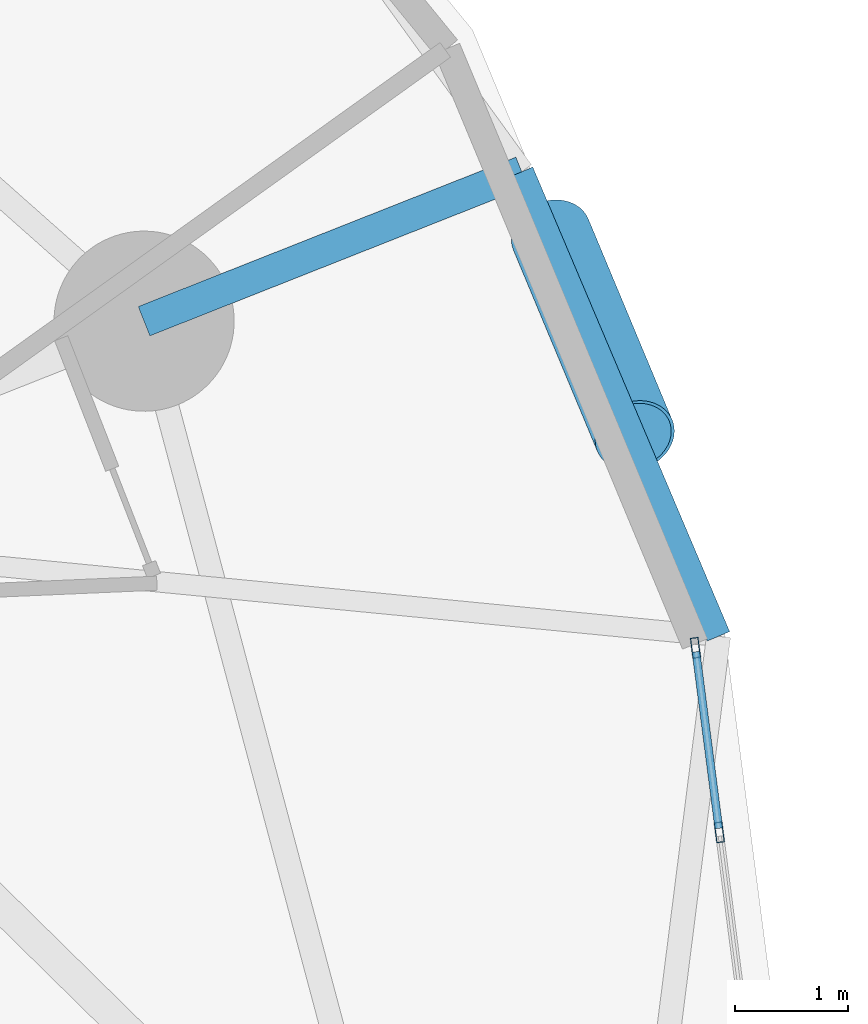
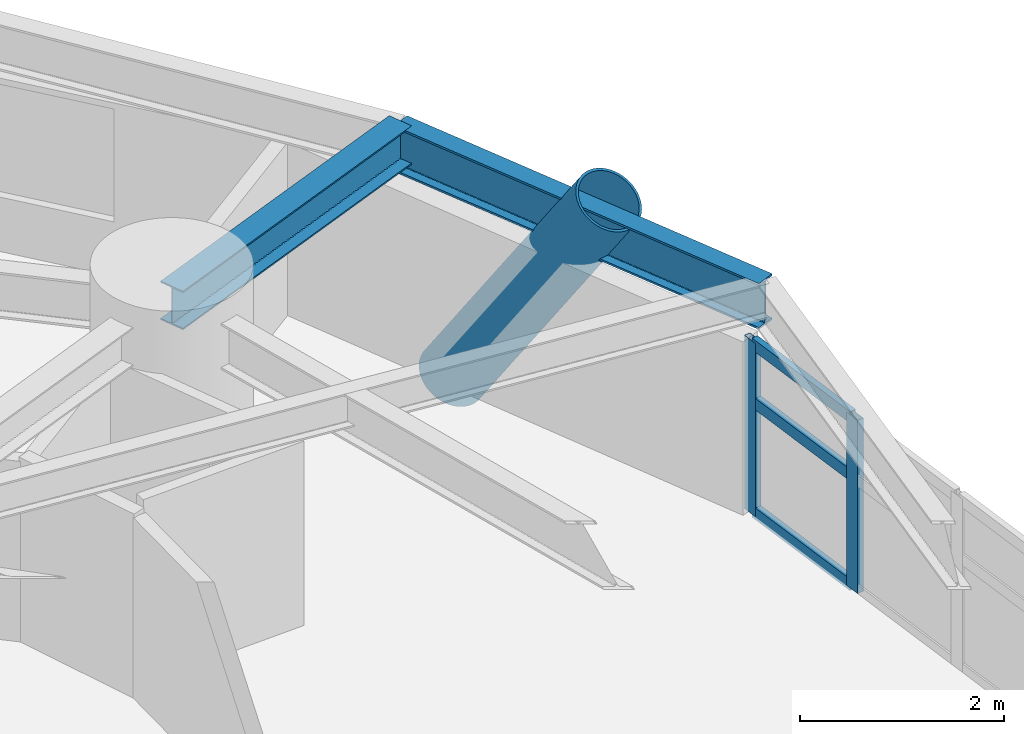
# One storey, part 4 of 19: 6 members, 2 beams, 1 element without a shape of its own.
"""IFC4 building model written with IfcOpenShell, lengths in metres."""

import ifcopenshell
import ifcopenshell.guid

model = None  # the IFC model being written
_history = None  # IfcOwnerHistory: only IFC2X3 demands one
_inside = {}  # id of a spatial element -> (the spatial element, [elements in it])
_under = {}  # id of a project, library or spatial element -> (it, [spatial elements below it])
_declared = {}  # id of a project -> (the project, [libraries it declares])
_typed = {}  # id of a type object -> (the type object, [elements of that type])
_made_of = {}  # id of a material, layer set ... -> (it, [elements and type objects made of it])


def new_model(schema):
    """Start an empty IFC model of exactly this schema.

    Asked for "IFC4X3", IfcOpenShell would pick the latest addendum, in which some entities
    have other attributes; the version numbers below select the first issue.
    IFC2X3 requires an IfcOwnerHistory on every rooted entity: one is made here for all.
    """
    global model, _history
    if schema == "IFC4X3":
        model = ifcopenshell.file(schema_version=(4, 3, 0, 0))
    else:
        model = ifcopenshell.file(schema=schema)
    _inside.clear()
    _under.clear()
    _declared.clear()
    _typed.clear()
    _made_of.clear()
    _history = None
    if model.schema == "IFC2X3":
        org = make("IfcOrganization", Name="unknown")
        user = make(
            "IfcPersonAndOrganization",
            ThePerson=make("IfcPerson", FamilyName="unknown"),
            TheOrganization=org,
        )
        app = make(
            "IfcApplication",
            ApplicationDeveloper=org,
            Version="unknown",
            ApplicationFullName="unknown",
            ApplicationIdentifier="unknown",
        )
        _history = make(
            "IfcOwnerHistory",
            OwningUser=user,
            OwningApplication=app,
            ChangeAction="ADDED",
            CreationDate=0,
        )
    return model


def make(cls, **values):
    """One entity of the class cls with the attributes given. An attribute that is None is left unset."""
    return model.create_entity(
        cls, **{name: value for name, value in values.items() if value is not None}
    )


def rooted(cls, **values):
    """An entity with a GlobalId (a new one), such as an element, a storey or a relation."""
    return make(cls, GlobalId=ifcopenshell.guid.new(), OwnerHistory=_history, **values)


def si_unit(unit_type, name, prefix=None):
    """IfcSIUnit, for example si_unit("LENGTHUNIT", "METRE", prefix="MILLI")."""
    return make("IfcSIUnit", UnitType=unit_type, Prefix=prefix, Name=name)


def assignment(units):
    """IfcUnitAssignment: the units of a project."""
    return None if units is None else make("IfcUnitAssignment", Units=units)


def point(xyz):
    """IfcCartesianPoint."""
    return None if xyz is None else make("IfcCartesianPoint", Coordinates=xyz)


def direction(xyz):
    """IfcDirection."""
    return None if xyz is None else make("IfcDirection", DirectionRatios=xyz)


def frame(location, z_axis=None, x_axis=None):
    """IfcAxis2Placement3D, a coordinate frame: its origin and axes. An axis left out is left unset."""
    return make(
        "IfcAxis2Placement3D",
        Location=point(location),
        Axis=direction(z_axis),
        RefDirection=direction(x_axis),
    )


def frame_2d(location, x_axis=None):
    """IfcAxis2Placement2D, a coordinate frame in the plane: its origin and x axis."""
    return make(
        "IfcAxis2Placement2D", Location=point(location), RefDirection=direction(x_axis)
    )


def origin():
    """The frame at (0, 0, 0) with its axes left unset."""
    return frame((0.0, 0.0, 0.0))


def origin_2d():
    """The frame at (0, 0) in the plane with its x axis left unset."""
    return frame_2d((0.0, 0.0))


def place(relative_to, where):
    """IfcLocalPlacement: puts the frame where relative to a parent placement (None: the world)."""
    return make(
        "IfcLocalPlacement", PlacementRelTo=relative_to, RelativePlacement=where
    )


def context(
    kind, dimensions, precision=None, world=None, true_north=None, identifier=None
):
    """IfcGeometricRepresentationContext, for example the 3D "Model" context."""
    return make(
        "IfcGeometricRepresentationContext",
        ContextIdentifier=identifier,
        ContextType=kind,
        CoordinateSpaceDimension=dimensions,
        Precision=precision,
        WorldCoordinateSystem=world,
        TrueNorth=true_north,
    )


def subcontext(parent, identifier, kind, view, scale=None):
    """IfcGeometricRepresentationSubContext, for example "Body" below "Model"."""
    return make(
        "IfcGeometricRepresentationSubContext",
        ContextIdentifier=identifier,
        ContextType=kind,
        ParentContext=parent,
        TargetScale=scale,
        TargetView=view,
    )


def project(units=None, contexts=None):
    """IfcProject with its units and contexts."""
    return rooted(
        "IfcProject",
        Name="project",
        RepresentationContexts=contexts,
        UnitsInContext=assignment(units),
    )


def spatial(cls, under=None, at=None, **own):
    """A site, building, storey or space (cls), placed at a placement, below another one or the project."""
    s = rooted(cls, ObjectPlacement=at, **own)
    if under is not None:
        _under.setdefault(under.id(), (under, []))[1].append(s)
    return s


def profile(cls, at=None, kind="AREA", **sizes):
    """A parametric profile (cls). Its sizes go by their IFC names, for example OverallWidth=200.0."""
    return make(cls, ProfileType=kind, Position=at, **sizes)


def hollow_rectangle(**sizes):
    """IfcRectangleHollowProfileDef."""
    return profile("IfcRectangleHollowProfileDef", **sizes)


def hollow_circle(**sizes):
    """IfcCircleHollowProfileDef."""
    return profile("IfcCircleHollowProfileDef", **sizes)


def i_section(**sizes):
    """IfcIShapeProfileDef."""
    return profile("IfcIShapeProfileDef", **sizes)


def extrude(swept, where, along, depth):
    """IfcExtrudedAreaSolid: the profile swept, set in the frame where, extruded along a direction by depth."""
    return make(
        "IfcExtrudedAreaSolid",
        SweptArea=swept,
        Position=where,
        ExtrudedDirection=direction(along),
        Depth=depth,
    )


def shape(context_of_items, identifier, shape_type, items):
    """IfcShapeRepresentation: the items that make up one representation, for example the "Body"."""
    return make(
        "IfcShapeRepresentation",
        ContextOfItems=context_of_items,
        RepresentationIdentifier=identifier,
        RepresentationType=shape_type,
        Items=items,
    )


def material(Name=None, Category=None):
    """IfcMaterial."""
    return make("IfcMaterial", Name=Name, Category=Category)


def layer(
    of_material, thickness, ventilated=None, Name=None, Category=None, Priority=None
):
    """IfcMaterialLayer: one layer of a wall or slab, of a material (None: an air gap)."""
    return make(
        "IfcMaterialLayer",
        Material=of_material,
        LayerThickness=thickness,
        IsVentilated=ventilated,
        Name=Name,
        Category=Category,
        Priority=Priority,
    )


def layer_set(layers, Name=None):
    """IfcMaterialLayerSet."""
    return make("IfcMaterialLayerSet", MaterialLayers=layers, LayerSetName=Name)


def material_profile(
    of_material, cross_section, Name=None, Category=None, Priority=None
):
    """IfcMaterialProfile: a cross section and its material."""
    return make(
        "IfcMaterialProfile",
        Name=Name,
        Material=of_material,
        Profile=cross_section,
        Priority=Priority,
        Category=Category,
    )


def profile_set(profiles, Name=None, composite=None):
    """IfcMaterialProfileSet."""
    return make(
        "IfcMaterialProfileSet",
        Name=Name,
        MaterialProfiles=profiles,
        CompositeProfile=composite,
    )


def made_of(thing, what):
    """Note that an element or type object is made of a material, layer set ...; save() writes the relation."""
    if what is not None:
        _made_of.setdefault(what.id(), (what, []))[1].append(thing)
    return thing


def type_object(cls, material=None, **own):
    """A type object (cls), such as IfcWallType, which elements share."""
    return made_of(rooted(cls, **own), material)


def element(
    cls,
    number,
    at=None,
    inside=None,
    cuts=None,
    type_object=None,
    material=None,
    context=None,
    identifier="Body",
    shape_type=None,
    held_by="IfcProductDefinitionShape",
    body=None,
    shapes=None,
    **own,
):
    """One element of the class cls, such as IfcWall. Its Tag is "e" and its number.

    at: its placement. inside: the storey or other place that contains it. cuts: it is an
    opening in that element (IfcRelVoidsElement). A single representation is given by context,
    identifier, shape_type and body (its items); several are given by shapes. held_by: the class
    of the entity that holds the representations. save() writes the other relations.
    """
    e = rooted(cls, Tag="e%d" % number, ObjectPlacement=at, **own)
    if body is not None:
        shapes = [shape(context, identifier, shape_type, body)]
    if shapes is not None:
        e.Representation = make(held_by, Representations=shapes)
    if inside is not None:
        _inside.setdefault(inside.id(), (inside, []))[1].append(e)
    if cuts is not None:
        rooted(
            "IfcRelVoidsElement", RelatingBuildingElement=cuts, RelatedOpeningElement=e
        )
    if type_object is not None:
        _typed.setdefault(type_object.id(), (type_object, []))[1].append(e)
    return made_of(e, material)


def aggregate(whole, parts):
    """IfcRelAggregates: a whole, such as a stair, and the parts it consists of."""
    return rooted("IfcRelAggregates", RelatingObject=whole, RelatedObjects=parts)


def save(model, path):
    """Write the relations noted so far, then the file.

    IfcRelAggregates (storeys below a building ...), IfcRelContainedInSpatialStructure (elements
    in a storey), IfcRelDefinesByType, IfcRelAssociatesMaterial and IfcRelDeclares: one each for
    every whole, place, type object, material and project.
    """
    for whole, parts in _under.values():
        aggregate(whole, parts)
    for where, things in _inside.values():
        rooted(
            "IfcRelContainedInSpatialStructure",
            RelatedElements=things,
            RelatingStructure=where,
        )
    for kind, things in _typed.values():
        rooted("IfcRelDefinesByType", RelatedObjects=things, RelatingType=kind)
    for what, things in _made_of.values():
        rooted("IfcRelAssociatesMaterial", RelatedObjects=things, RelatingMaterial=what)
    for by, libraries in _declared.values():
        rooted("IfcRelDeclares", RelatingContext=by, RelatedDefinitions=libraries)
    model.write(path)


model = new_model("IFC4")

# Units and contexts
model_context = context("Model", 3, precision=1e-05, world=origin(), true_north=direction((0.0, 1.0)))
body_context = subcontext(model_context, "Body", "Model", "MODEL_VIEW")
ifc_project = project(units=[si_unit("LENGTHUNIT", "METRE"), si_unit("AREAUNIT", "SQUARE_METRE"), si_unit("VOLUMEUNIT", "CUBIC_METRE"), si_unit("PLANEANGLEUNIT", "RADIAN"), si_unit("MASSUNIT", "GRAM", prefix="KILO")], contexts=[model_context])

# Site, building, storey
site_placement = place(None, origin())
site = spatial("IfcSite", under=ifc_project, at=site_placement, CompositionType="ELEMENT")
building_placement = place(site_placement, origin())
building = spatial("IfcBuilding", under=site, at=building_placement, Name="Cununo Teusaquillo Station Towers", CompositionType="ELEMENT")
storey_placement = place(building_placement, frame((0.0, 0.0, 33.639892578125)))
storey = spatial("IfcBuildingStorey", under=building, at=storey_placement, Name="L09", CompositionType="ELEMENT", Elevation=33.639892578125)

# Beams
ifc_material_1 = material(Name="Steel ASTM A572 Grade 50", Category="steel")
ifc_material_profile_1 = material_profile(ifc_material_1, i_section(OverallWidth=0.280029296875, OverallDepth=0.462890625, WebThickness=0.0107421875, FlangeThickness=0.017333984375, FilletRadius=0.013916015625, at=origin_2d()), Name="W18X76")
ifc_profile_set_1 = profile_set([ifc_material_profile_1], Name="Steel ASTM A572 Grade 50")
beam_type_1 = type_object("IfcBeamType", Name="BM-RAD-G1", PredefinedType="BEAM", material=ifc_profile_set_1)
beam_1_placement = place(storey_placement, frame((26.347412109375, 33.228515625, 2.418701171875), z_axis=(0.92986596044, 0.367898485476, 0.0), x_axis=(-0.367898485476, 0.92986596044, 0.0)))
element("IfcBeam", 1, at=beam_1_placement, inside=storey, type_object=beam_type_1, Name="L09 Tower A Perimeter Overhang Girder 02B", PredefinedType="BEAM", context=body_context, shape_type="SweptSolid", body=[
    extrude(i_section(OverallWidth=0.280029296875, OverallDepth=0.462890625, WebThickness=0.0107421875, FlangeThickness=0.017333984375, FilletRadius=0.013916015625, at=origin_2d()), origin(), (0.0, 0.0, 1.0), 3.606689453125),
])
ifc_material_2 = material(Name="Steel ASTM A572 Grade 50", Category="steel")
ifc_material_profile_2 = material_profile(ifc_material_2, i_section(OverallWidth=0.214111328125, OverallDepth=0.549072265625, WebThickness=0.0146484375, FlangeThickness=0.023681640625, FilletRadius=0.014892578125, at=origin_2d()), Name="W21X93")
ifc_profile_set_2 = profile_set([ifc_material_profile_2], Name="Steel ASTM A572 Grade 50")
beam_type_2 = type_object("IfcBeamType", Name="BM-RING-Z1", PredefinedType="SPANDREL", material=ifc_profile_set_2)
beam_2_placement = place(storey_placement, frame((31.44970703125, 30.429931640625, 2.37548828125), z_axis=(-0.390233589069, 0.920715887754, 0.0), x_axis=(-0.920715887754, -0.390233589069, 0.0)))
element("IfcBeam", 2, at=beam_2_placement, inside=storey, type_object=beam_type_2, Name="L09 Tower A Spandrel Ring Beam 02", PredefinedType="SPANDREL", context=body_context, shape_type="SweptSolid", body=[
    extrude(i_section(OverallWidth=0.214111328125, OverallDepth=0.549072265625, WebThickness=0.0146484375, FlangeThickness=0.023681640625, FilletRadius=0.014892578125, at=origin_2d()), origin(), (0.0, 0.0, 1.0), 4.480712890625),
])

# Curtain wall, members
ifc_material_3 = material(Name="Ceramic-fritted dark low-E double glazing", Category="glass")
ifc_layer = layer(ifc_material_3, 0.179931640625)
ifc_layer_set = layer_set([ifc_layer], Name="Ceramic-fritted dark low-E double glazing")
curtain_wall_type = type_object("IfcCurtainWallType", Name="CW-SYS-02", PredefinedType="USERDEFINED", material=ifc_layer_set)
curtain_wall_placement = place(storey_placement, origin())
curtain_wall = element("IfcCurtainWall", 3, at=curtain_wall_placement, inside=storey, type_object=curtain_wall_type, Name="L09 Tower A Facade Curtain Wall C00", ObjectType="FRITTED GLAZING", PredefinedType="USERDEFINED")
ifc_material_4 = material(Name="Anodised dark bronze aluminium EN AW-6063-T6", Category="aluminium")
ifc_material_profile_3 = material_profile(ifc_material_4, hollow_rectangle(XDim=0.070068359375, YDim=0.179931640625, WallThickness=0.00390625, at=origin_2d()), Name="CW-MULL-70x180")
ifc_profile_set_3 = profile_set([ifc_material_profile_3], Name="Anodised dark bronze aluminium EN AW-6063-T6")
member_type_1 = type_object("IfcMemberType", Name="CWM-180", PredefinedType="MULLION", material=ifc_profile_set_3)
member_1_placement = place(storey_placement, frame((31.244873046875, 30.327392578125, 0.0), z_axis=(0.0, 0.0, 1.0), x_axis=(0.991730798481, 0.128335588771, 0.0)))
member_1 = element("IfcMember", 4, at=member_1_placement, type_object=member_type_1, Name="CW-02 mullion 1", PredefinedType="MULLION", context=body_context, shape_type="SweptSolid", body=[
    extrude(hollow_rectangle(XDim=0.070068359375, YDim=0.179931640625, WallThickness=0.00390625, at=origin_2d()), origin(), (0.0, 0.0, 1.0), 2.072998046875),
])
member_2_placement = place(storey_placement, frame((31.456787109375, 28.68896484375, 0.0), z_axis=(0.0, 0.0, 1.0), x_axis=(0.991730798481, 0.128335588771, 0.0)))
member_2 = element("IfcMember", 5, at=member_2_placement, type_object=member_type_1, Name="CW-02 mullion 2", PredefinedType="MULLION", context=body_context, shape_type="SweptSolid", body=[
    extrude(hollow_rectangle(XDim=0.070068359375, YDim=0.179931640625, WallThickness=0.00390625, at=origin_2d()), origin(), (0.0, 0.0, 1.0), 2.072998046875),
])
ifc_material_5 = material(Name="Anodised dark bronze aluminium EN AW-6063-T6", Category="aluminium")
ifc_material_profile_4 = material_profile(ifc_material_5, hollow_rectangle(XDim=0.070068359375, YDim=0.139892578125, WallThickness=0.00390625, at=origin_2d()), Name="CW-TRAN-70x140")
ifc_profile_set_4 = profile_set([ifc_material_profile_4], Name="Anodised dark bronze aluminium EN AW-6063-T6")
member_type_2 = type_object("IfcMemberType", Name="CWT-140", PredefinedType="USERDEFINED", material=ifc_profile_set_4)
member_3_placement = place(storey_placement, frame((31.249267578125, 30.292724609375, 0.03515625), z_axis=(0.128402247984, -0.991722170123, 0.0), x_axis=(0.991722170123, 0.128402247984, 0.0)))
member_3 = element("IfcMember", 6, at=member_3_placement, type_object=member_type_2, Name="CW-02 transom 1.1", ObjectType="TRANSOM", PredefinedType="USERDEFINED", context=body_context, shape_type="SweptSolid", body=[
    extrude(hollow_rectangle(XDim=0.070068359375, YDim=0.139892578125, WallThickness=0.00390625, at=origin_2d()), origin(), (0.0, 0.0, 1.0), 1.58203125),
])
member_4_placement = place(storey_placement, frame((31.249267578125, 30.292724609375, 1.34716796875), z_axis=(0.128402247984, -0.991722170123, 0.0), x_axis=(0.991722170123, 0.128402247984, 0.0)))
member_4 = element("IfcMember", 7, at=member_4_placement, type_object=member_type_2, Name="CW-02 transom 1.2", ObjectType="TRANSOM", PredefinedType="USERDEFINED", context=body_context, shape_type="SweptSolid", body=[
    extrude(hollow_rectangle(XDim=0.070068359375, YDim=0.139892578125, WallThickness=0.00390625, at=origin_2d()), origin(), (0.0, 0.0, 1.0), 1.58203125),
])
member_5_placement = place(storey_placement, frame((31.249267578125, 30.292724609375, 2.0380859375), z_axis=(0.128402247984, -0.991722170123, 0.0), x_axis=(0.991722170123, 0.128402247984, 0.0)))
member_5 = element("IfcMember", 8, at=member_5_placement, type_object=member_type_2, Name="CW-02 transom 1.3", ObjectType="TRANSOM", PredefinedType="USERDEFINED", context=body_context, shape_type="SweptSolid", body=[
    extrude(hollow_rectangle(XDim=0.070068359375, YDim=0.139892578125, WallThickness=0.00390625, at=origin_2d()), origin(), (0.0, 0.0, 1.0), 1.58203125),
])
aggregate(curtain_wall, [member_1, member_2, member_3, member_4, member_5])

# Member
ifc_material_6 = material(Name="Steel EN 10025-2 S355J2", Category="steel")
ifc_material_profile_5 = material_profile(ifc_material_6, hollow_circle(Radius=0.360107421875, WallThickness=0.028076171875, at=origin_2d()), Name="CHS 720x28")
ifc_profile_set_5 = profile_set([ifc_material_profile_5], Name="Steel EN 10025-2 S355J2")
member_type_3 = type_object("IfcMemberType", Name="MBR-DIAG-Z1", PredefinedType="BRACE", material=ifc_profile_set_5)
member_6_placement = place(storey_placement, frame((29.961181640625, 33.996337890625, -0.139892578125), z_axis=(0.213036825729, -0.510505569267, 0.833066248644), x_axis=(0.922867447473, 0.38511774095, 0.0)))
element("IfcMember", 9, at=member_6_placement, inside=storey, type_object=member_type_3, Name="L09 Tower A Folded-Zigzag Diagrid Tube C01", PredefinedType="BRACE", context=body_context, shape_type="SweptSolid", body=[
    extrude(hollow_circle(Radius=0.360107421875, WallThickness=0.028076171875, at=origin_2d()), origin(), (0.0, 0.0, 1.0), 3.492919921875),
])

save(model, "model.ifc")
